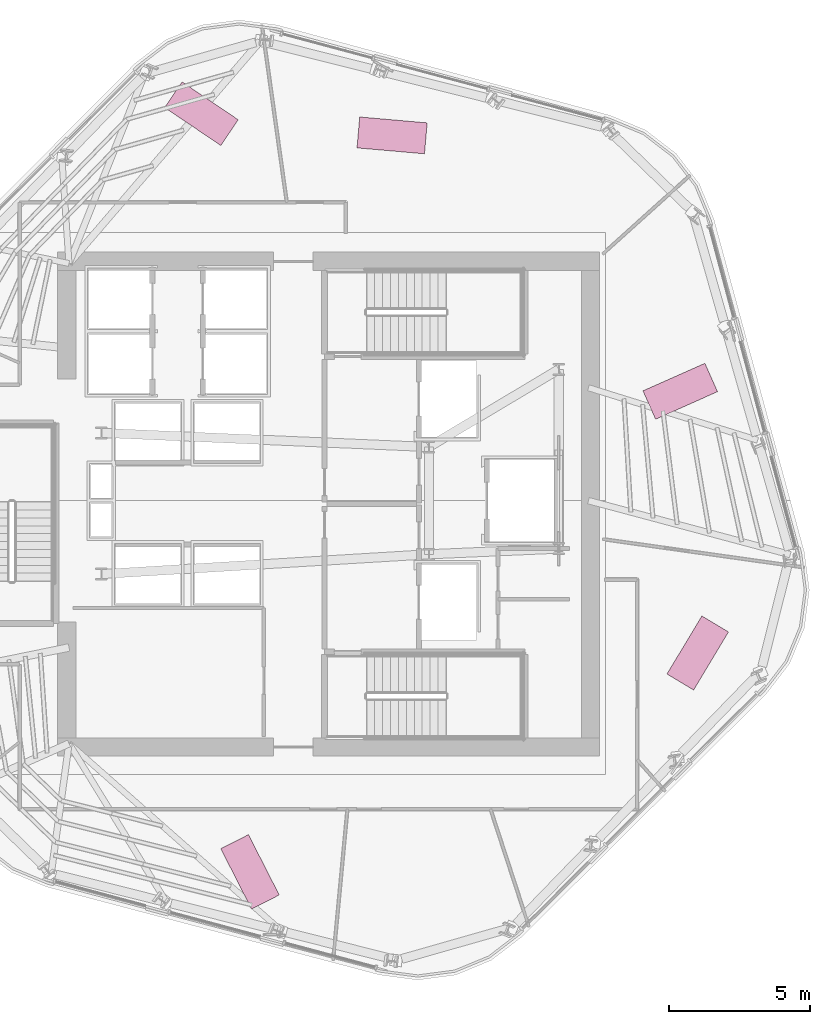
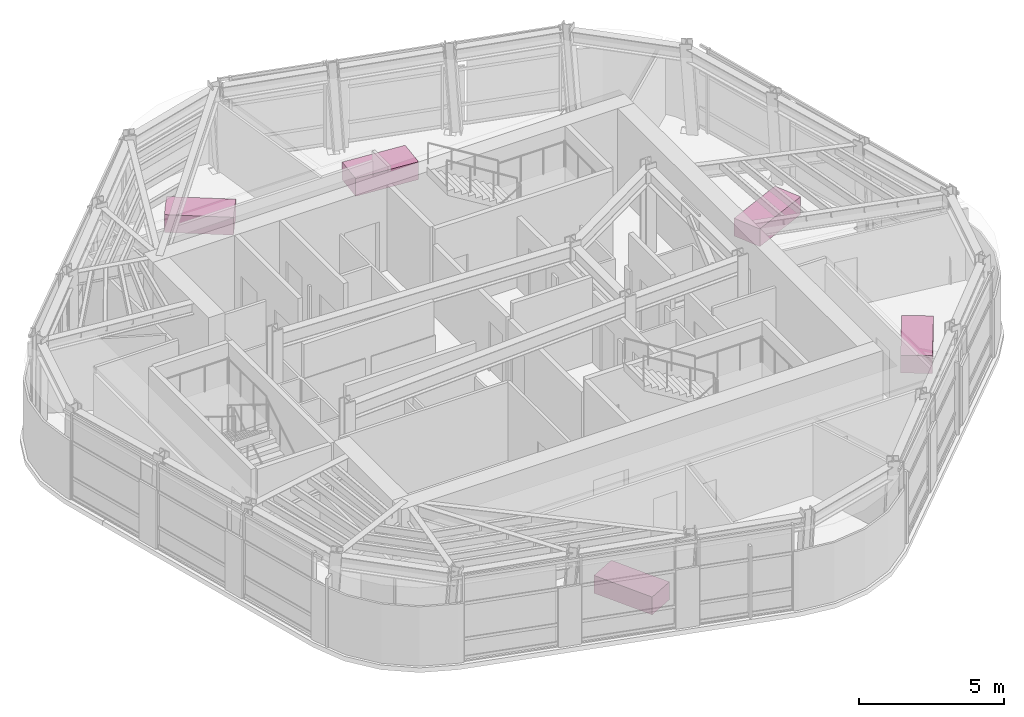
# One storey, part 13 of 13: 5 furniture elements.
"""IFC4 building model written with IfcOpenShell, lengths in metres."""

from ifc_helpers import new_model, si_unit, direction, frame, origin, origin_2d, place, context, subcontext, project, spatial, rectangle, extrude, material, type_object, element, save


model = new_model("IFC4")

# Units and contexts
model_context = context("Model", 3, precision=1e-05, world=origin(), true_north=direction((0.0, 1.0)))
body_context = subcontext(model_context, "Body", "Model", "MODEL_VIEW")
ifc_project = project(units=[si_unit("LENGTHUNIT", "METRE"), si_unit("AREAUNIT", "SQUARE_METRE"), si_unit("VOLUMEUNIT", "CUBIC_METRE"), si_unit("PLANEANGLEUNIT", "RADIAN"), si_unit("MASSUNIT", "GRAM", prefix="KILO")], contexts=[model_context])

# Site, building, storey
site_placement = place(None, origin())
site = spatial("IfcSite", under=ifc_project, at=site_placement, CompositionType="ELEMENT")
building_placement = place(site_placement, origin())
building = spatial("IfcBuilding", under=site, at=building_placement, Name="Valkerne Bourse Tower", CompositionType="ELEMENT")
storey_placement = place(building_placement, frame((0.0, 0.0, 217.0)))
storey = spatial("IfcBuildingStorey", under=building, at=storey_placement, Name="L55", CompositionType="ELEMENT", Elevation=217.0)

# Furniture
ifc_material = material(Name="Architectural White Oak Timber", Category="wood")
furniture_type = type_object("IfcFurnitureType", Name="FURN-DESK-2400", AssemblyPlace="NOTDEFINED", PredefinedType="DESK", material=ifc_material)
for number, where, z_axis, x_axis, name in (
    (1, (59.87109375, 21.60400390625, 0.044921875), (0.0, 0.0, 1.0), (0.51503807491, 0.857167300702, 0.0), "L55 Suite Worktable 06"),
    (2, (44.011962890625, 13.85107421875, 0.044921875), (0.0, 0.0, 1.0), (-0.45399049974, 0.891006524188, 0.0), "L55 Suite Worktable 08"),
    (3, (42.291015625, 40.70703125, 0.044921875), (0.0, 0.0, 1.0), (-0.829037572555, 0.559192903471, 0.0), "L55 Suite Worktable 09"),
    (4, (49.044921875, 39.93798828125, 0.044921875), (0.0, 0.0, 1.0), (-0.996194698092, 0.087155742748, 0.0), "L55 Suite Worktable 10"),
    (5, (59.251953125, 30.8740234375, 0.044921875), (0.0, 0.0, 1.0), (0.913545457643, 0.406736643076, 0.0), "L55 Suite Worktable 11"),
):
    element("IfcFurniture", number, at=place(storey_placement, frame(where, z_axis=z_axis, x_axis=x_axis)), inside=storey, type_object=furniture_type, Name=name, PredefinedType="DESK", context=body_context, shape_type="SweptSolid", body=[
        extrude(rectangle(XDim=2.39990234375, YDim=1.10009765625, at=origin_2d()), origin(), (0.0, 0.0, 1.0), 0.75),
    ])

save(model, "model.ifc")
